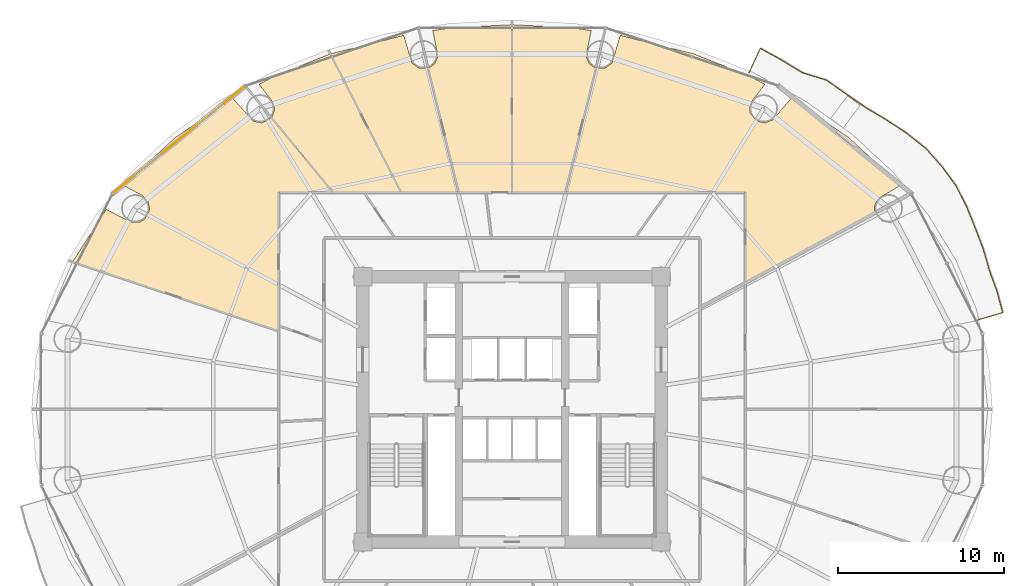
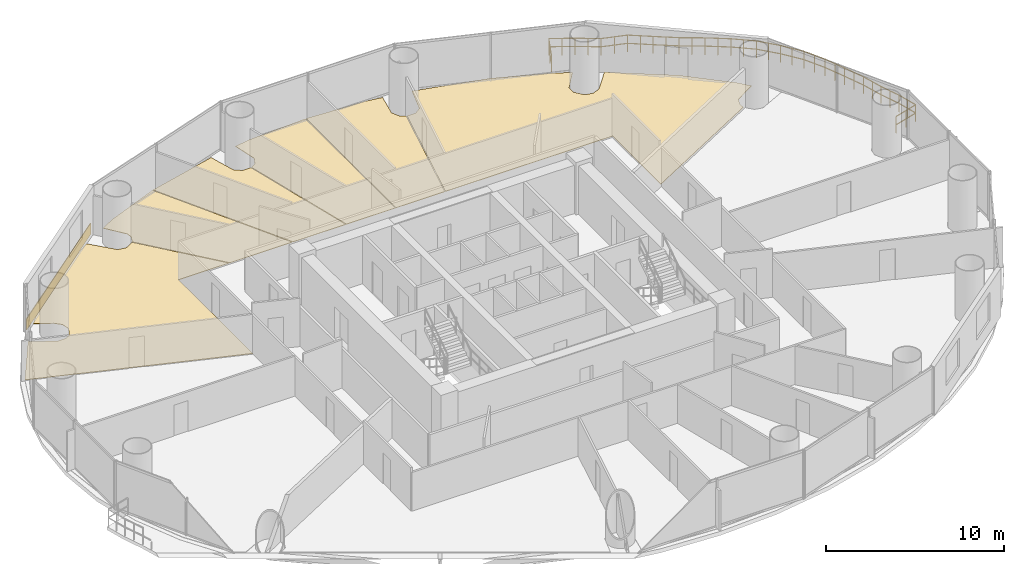
# One storey, part 30 of 30: 7 coverings, 1 railing.
"""IFC4 building model written with IfcOpenShell, lengths in metres."""

from ifc_helpers import new_model, si_unit, direction, frame, origin, origin_2d, place, context, subcontext, project, spatial, polyline, rectangle, outline, extrude, source, transform, mapped, material, layer, layer_set, type_object, element, save


model = new_model("IFC4")

# Units and contexts
model_context = context("Model", 3, precision=1e-05, world=origin(), true_north=direction((-0.2419218956, 0.970295726276)))
body_context = subcontext(model_context, "Body", "Model", "MODEL_VIEW")
ifc_project = project(units=[si_unit("LENGTHUNIT", "METRE"), si_unit("AREAUNIT", "SQUARE_METRE"), si_unit("VOLUMEUNIT", "CUBIC_METRE"), si_unit("PLANEANGLEUNIT", "RADIAN"), si_unit("MASSUNIT", "GRAM", prefix="KILO")], contexts=[model_context])

# Site, building, storey
site_placement = place(None, origin())
site = spatial("IfcSite", under=ifc_project, at=site_placement, CompositionType="ELEMENT")
building_placement = place(site_placement, origin())
building = spatial("IfcBuilding", under=site, at=building_placement, Name="Cobrevalo Terracotta Tower", CompositionType="ELEMENT")
storey_placement = place(building_placement, frame((0.0, 0.0, 56.39990234375)))
storey = spatial("IfcBuildingStorey", under=building, at=storey_placement, Name="L14", CompositionType="ELEMENT", Elevation=56.39990234375)

# Railing
ifc_material_1 = material(Name="Laminated structural glass and stainless steel", Category="steel")
railing_type = type_object("IfcRailingType", Name="Balcony lobe structural glass & terracotta-cap balustrade 1180 mm", PredefinedType="BALUSTRADE", material=ifc_material_1)
railing_placement = place(storey_placement, frame((66.08935546875, 32.18896484375, 0.0)))
element("IfcRailing", 1, at=railing_placement, inside=storey, type_object=railing_type, Name="L14 spiralling balcony lobe balustrade 1", PredefinedType="BALUSTRADE", context=body_context, shape_type="SweptSolid", body=[
    extrude(rectangle(XDim=0.048095703125, YDim=0.048095703125, at=origin_2d()), frame((0.0, 0.0, 1.15576171875), z_axis=(0.959912126119, 0.280301106185, 0.0), x_axis=(-0.280301106185, 0.959912126119, 0.0)), (0.0, 0.0, 1.0), 1.587890625),
    extrude(rectangle(XDim=0.048095703125, YDim=0.048095703125, at=origin_2d()), frame((0.0, 0.0, 0.58984375), z_axis=(0.959912126119, 0.280301106185, 0.0), x_axis=(-0.280301106185, 0.959912126119, 0.0)), (0.0, 0.0, 1.0), 1.587890625),
    extrude(rectangle(XDim=0.048095703125, YDim=0.048095703125, at=origin_2d()), frame((1.524169921875, 0.445068359375, 1.15576171875), z_axis=(-0.256809148963, 0.966462136356, 0.0), x_axis=(-0.966462136356, -0.256809148963, 0.0)), (0.0, 0.0, 1.0), 1.317626953125),
    extrude(rectangle(XDim=0.048095703125, YDim=0.048095703125, at=origin_2d()), frame((1.524169921875, 0.445068359375, 0.58984375), z_axis=(-0.256809148963, 0.966462136356, 0.0), x_axis=(-0.966462136356, -0.256809148963, 0.0)), (0.0, 0.0, 1.0), 1.317626953125),
    extrude(rectangle(XDim=0.048095703125, YDim=0.048095703125, at=origin_2d()), frame((1.185791015625, 1.718505859375, 1.15576171875), z_axis=(-0.341155184606, 0.940006989344, 0.0), x_axis=(-0.940006989344, -0.341155184606, 0.0)), (0.0, 0.0, 1.0), 1.333984375),
    extrude(rectangle(XDim=0.048095703125, YDim=0.048095703125, at=origin_2d()), frame((1.185791015625, 1.718505859375, 0.58984375), z_axis=(-0.341155184606, 0.940006989344, 0.0), x_axis=(-0.940006989344, -0.341155184606, 0.0)), (0.0, 0.0, 1.0), 1.333984375),
    extrude(rectangle(XDim=0.048095703125, YDim=0.048095703125, at=origin_2d()), frame((0.730712890625, 2.972412109375, 1.15576171875), z_axis=(-0.278150053131, 0.96053763484, 0.0), x_axis=(-0.96053763484, -0.278150053131, 0.0)), (0.0, 0.0, 1.0), 1.353515625),
    extrude(rectangle(XDim=0.048095703125, YDim=0.048095703125, at=origin_2d()), frame((0.730712890625, 2.972412109375, 0.58984375), z_axis=(-0.278150053131, 0.96053763484, 0.0), x_axis=(-0.96053763484, -0.278150053131, 0.0)), (0.0, 0.0, 1.0), 1.353515625),
    extrude(rectangle(XDim=0.048095703125, YDim=0.048095703125, at=origin_2d()), frame((0.354248046875, 4.2724609375, 1.15576171875), z_axis=(-0.355282598321, 0.93475893969, 0.0), x_axis=(-0.93475893969, -0.355282598321, 0.0)), (0.0, 0.0, 1.0), 1.3818359375),
    extrude(rectangle(XDim=0.048095703125, YDim=0.048095703125, at=origin_2d()), frame((0.354248046875, 4.2724609375, 0.58984375), z_axis=(-0.355282598321, 0.93475893969, 0.0), x_axis=(-0.93475893969, -0.355282598321, 0.0)), (0.0, 0.0, 1.0), 1.3818359375),
    extrude(rectangle(XDim=0.048095703125, YDim=0.048095703125, at=origin_2d()), frame((-0.13671875, 5.564208984375, 1.15576171875), z_axis=(-0.374830450433, 0.927093379023, 0.0), x_axis=(-0.927093379023, -0.374830450433, 0.0)), (0.0, 0.0, 1.0), 1.40625),
    extrude(rectangle(XDim=0.048095703125, YDim=0.048095703125, at=origin_2d()), frame((-0.13671875, 5.564208984375, 0.58984375), z_axis=(-0.374830450433, 0.927093379023, 0.0), x_axis=(-0.927093379023, -0.374830450433, 0.0)), (0.0, 0.0, 1.0), 1.40625),
    extrude(rectangle(XDim=0.048095703125, YDim=0.048095703125, at=origin_2d()), frame((-0.663818359375, 6.867919921875, 1.15576171875), z_axis=(-0.454643360524, 0.890673573612, 0.0), x_axis=(-0.890673573612, -0.454643360524, 0.0)), (0.0, 0.0, 1.0), 1.41650390625),
    extrude(rectangle(XDim=0.048095703125, YDim=0.048095703125, at=origin_2d()), frame((-0.663818359375, 6.867919921875, 0.58984375), z_axis=(-0.454643360524, 0.890673573612, 0.0), x_axis=(-0.890673573612, -0.454643360524, 0.0)), (0.0, 0.0, 1.0), 1.41650390625),
    extrude(rectangle(XDim=0.048095703125, YDim=0.048095703125, at=origin_2d()), frame((-1.307861328125, 8.129638671875, 1.15576171875), z_axis=(-0.593547662469, 0.804798839697, 0.0), x_axis=(-0.804798839697, -0.593547662469, 0.0)), (0.0, 0.0, 1.0), 1.43310546875),
    extrude(rectangle(XDim=0.048095703125, YDim=0.048095703125, at=origin_2d()), frame((-1.307861328125, 8.129638671875, 0.58984375), z_axis=(-0.593547662469, 0.804798839697, 0.0), x_axis=(-0.804798839697, -0.593547662469, 0.0)), (0.0, 0.0, 1.0), 1.43310546875),
    extrude(rectangle(XDim=0.048095703125, YDim=0.048095703125, at=origin_2d()), frame((-2.158447265625, 9.282958984375, 1.15576171875), z_axis=(-0.662868501169, 0.748735834696, 0.0), x_axis=(-0.748735834696, -0.662868501169, 0.0)), (0.0, 0.0, 1.0), 1.43017578125),
    extrude(rectangle(XDim=0.048095703125, YDim=0.048095703125, at=origin_2d()), frame((-2.158447265625, 9.282958984375, 0.58984375), z_axis=(-0.662868501169, 0.748735834696, 0.0), x_axis=(-0.748735834696, -0.662868501169, 0.0)), (0.0, 0.0, 1.0), 1.43017578125),
    extrude(rectangle(XDim=0.048095703125, YDim=0.048095703125, at=origin_2d()), frame((-3.1064453125, 10.353759765625, 1.15576171875), z_axis=(-0.784055996257, 0.620690095566, 0.0), x_axis=(-0.620690095566, -0.784055996257, 0.0)), (0.0, 0.0, 1.0), 1.4599609375),
    extrude(rectangle(XDim=0.048095703125, YDim=0.048095703125, at=origin_2d()), frame((-3.1064453125, 10.353759765625, 0.58984375), z_axis=(-0.784055996257, 0.620690095566, 0.0), x_axis=(-0.620690095566, -0.784055996257, 0.0)), (0.0, 0.0, 1.0), 1.4599609375),
    extrude(rectangle(XDim=0.048095703125, YDim=0.048095703125, at=origin_2d()), frame((-4.251220703125, 11.260009765625, 1.15576171875), z_axis=(-0.834019035197, 0.551735669438, 0.0), x_axis=(-0.551735669438, -0.834019035197, 0.0)), (0.0, 0.0, 1.0), 1.465087890625),
    extrude(rectangle(XDim=0.048095703125, YDim=0.048095703125, at=origin_2d()), frame((-4.251220703125, 11.260009765625, 0.58984375), z_axis=(-0.834019035197, 0.551735669438, 0.0), x_axis=(-0.551735669438, -0.834019035197, 0.0)), (0.0, 0.0, 1.0), 1.465087890625),
    extrude(rectangle(XDim=0.048095703125, YDim=0.048095703125, at=origin_2d()), frame((-5.47314453125, 12.068359375, 1.15576171875), z_axis=(-0.859029305482, 0.511926412997, 0.0), x_axis=(-0.511926412997, -0.859029305482, 0.0)), (0.0, 0.0, 1.0), 1.45458984375),
    extrude(rectangle(XDim=0.048095703125, YDim=0.048095703125, at=origin_2d()), frame((-5.47314453125, 12.068359375, 0.58984375), z_axis=(-0.859029305482, 0.511926412997, 0.0), x_axis=(-0.511926412997, -0.859029305482, 0.0)), (0.0, 0.0, 1.0), 1.45458984375),
    extrude(rectangle(XDim=0.048095703125, YDim=0.048095703125, at=origin_2d()), frame((-6.72265625, 12.81298828125, 1.15576171875), z_axis=(-0.822613647557, 0.568600727095, 0.0), x_axis=(-0.568600727095, -0.822613647557, 0.0)), (0.0, 0.0, 1.0), 1.458984375),
    extrude(rectangle(XDim=0.048095703125, YDim=0.048095703125, at=origin_2d()), frame((-6.72265625, 12.81298828125, 0.58984375), z_axis=(-0.822613647557, 0.568600727095, 0.0), x_axis=(-0.568600727095, -0.822613647557, 0.0)), (0.0, 0.0, 1.0), 1.458984375),
    extrude(rectangle(XDim=0.048095703125, YDim=0.048095703125, at=origin_2d()), frame((-7.9228515625, 13.642578125, 1.15576171875), z_axis=(-0.816139811262, 0.577854487283, 0.0), x_axis=(-0.577854487283, -0.816139811262, 0.0)), (0.0, 0.0, 1.0), 1.455810546875),
    extrude(rectangle(XDim=0.048095703125, YDim=0.048095703125, at=origin_2d()), frame((-7.9228515625, 13.642578125, 0.58984375), z_axis=(-0.816139811262, 0.577854487283, 0.0), x_axis=(-0.577854487283, -0.816139811262, 0.0)), (0.0, 0.0, 1.0), 1.455810546875),
    extrude(rectangle(XDim=0.048095703125, YDim=0.048095703125, at=origin_2d()), frame((-9.111083984375, 14.48388671875, 1.15576171875), z_axis=(-0.956303986785, 0.29237422058, 0.0), x_axis=(-0.29237422058, -0.956303986785, 0.0)), (0.0, 0.0, 1.0), 1.513916015625),
    extrude(rectangle(XDim=0.048095703125, YDim=0.048095703125, at=origin_2d()), frame((-9.111083984375, 14.48388671875, 0.58984375), z_axis=(-0.956303986785, 0.29237422058, 0.0), x_axis=(-0.29237422058, -0.956303986785, 0.0)), (0.0, 0.0, 1.0), 1.513916015625),
    extrude(rectangle(XDim=0.048095703125, YDim=0.048095703125, at=origin_2d()), frame((-10.558837890625, 14.926513671875, 1.15576171875), z_axis=(-0.854981792719, 0.518658012683, 0.0), x_axis=(-0.518658012683, -0.854981792719, 0.0)), (0.0, 0.0, 1.0), 1.472900390625),
    extrude(rectangle(XDim=0.048095703125, YDim=0.048095703125, at=origin_2d()), frame((-10.558837890625, 14.926513671875, 0.58984375), z_axis=(-0.854981792719, 0.518658012683, 0.0), x_axis=(-0.518658012683, -0.854981792719, 0.0)), (0.0, 0.0, 1.0), 1.472900390625),
    extrude(rectangle(XDim=0.048095703125, YDim=0.048095703125, at=origin_2d()), frame((-11.818115234375, 15.6904296875, 1.15576171875), z_axis=(-0.874959516359, 0.484196080873, 0.0), x_axis=(-0.484196080873, -0.874959516359, 0.0)), (0.0, 0.0, 1.0), 1.476318359375),
    extrude(rectangle(XDim=0.048095703125, YDim=0.048095703125, at=origin_2d()), frame((-11.818115234375, 15.6904296875, 0.58984375), z_axis=(-0.874959516359, 0.484196080873, 0.0), x_axis=(-0.484196080873, -0.874959516359, 0.0)), (0.0, 0.0, 1.0), 1.476318359375),
    extrude(rectangle(XDim=0.048095703125, YDim=0.048095703125, at=origin_2d()), frame((-13.10986328125, 16.4052734375, 1.15576171875), z_axis=(-0.419732157948, -0.907648013045, 0.0), x_axis=(0.907648013045, -0.419732157948, 0.0)), (0.0, 0.0, 1.0), 1.607666015625),
    extrude(rectangle(XDim=0.048095703125, YDim=0.048095703125, at=origin_2d()), frame((-13.10986328125, 16.4052734375, 0.58984375), z_axis=(-0.419732157948, -0.907648013045, 0.0), x_axis=(0.907648013045, -0.419732157948, 0.0)), (0.0, 0.0, 1.0), 1.607666015625),
    extrude(rectangle(XDim=0.0419921875, YDim=0.0419921875, at=origin_2d()), origin(), (0.0, 0.0, 1.0), 1.1318359375),
    extrude(rectangle(XDim=0.0419921875, YDim=0.0419921875, at=origin_2d()), frame((0.76220703125, 0.22265625, 0.0)), (0.0, 0.0, 1.0), 1.1318359375),
    extrude(rectangle(XDim=0.0419921875, YDim=0.0419921875, at=origin_2d()), frame((1.524169921875, 0.445068359375, 0.0)), (0.0, 0.0, 1.0), 1.1318359375),
    extrude(rectangle(XDim=0.0419921875, YDim=0.0419921875, at=origin_2d()), frame((1.35498046875, 1.081787109375, 0.0)), (0.0, 0.0, 1.0), 1.1318359375),
    extrude(rectangle(XDim=0.0419921875, YDim=0.0419921875, at=origin_2d()), frame((1.185791015625, 1.718505859375, 0.0)), (0.0, 0.0, 1.0), 1.1318359375),
    extrude(rectangle(XDim=0.0419921875, YDim=0.0419921875, at=origin_2d()), frame((0.958251953125, 2.345458984375, 0.0)), (0.0, 0.0, 1.0), 1.1318359375),
    extrude(rectangle(XDim=0.0419921875, YDim=0.0419921875, at=origin_2d()), frame((0.730712890625, 2.972412109375, 0.0)), (0.0, 0.0, 1.0), 1.1318359375),
    extrude(rectangle(XDim=0.0419921875, YDim=0.0419921875, at=origin_2d()), frame((0.54248046875, 3.62255859375, 0.0)), (0.0, 0.0, 1.0), 1.1318359375),
    extrude(rectangle(XDim=0.0419921875, YDim=0.0419921875, at=origin_2d()), frame((0.354248046875, 4.2724609375, 0.0)), (0.0, 0.0, 1.0), 1.1318359375),
    extrude(rectangle(XDim=0.0419921875, YDim=0.0419921875, at=origin_2d()), frame((0.10888671875, 4.91845703125, 0.0)), (0.0, 0.0, 1.0), 1.1318359375),
    extrude(rectangle(XDim=0.0419921875, YDim=0.0419921875, at=origin_2d()), frame((-0.13671875, 5.564208984375, 0.0)), (0.0, 0.0, 1.0), 1.1318359375),
    extrude(rectangle(XDim=0.0419921875, YDim=0.0419921875, at=origin_2d()), frame((-0.400390625, 6.216064453125, 0.0)), (0.0, 0.0, 1.0), 1.1318359375),
    extrude(rectangle(XDim=0.0419921875, YDim=0.0419921875, at=origin_2d()), frame((-0.663818359375, 6.867919921875, 0.0)), (0.0, 0.0, 1.0), 1.1318359375),
    extrude(rectangle(XDim=0.0419921875, YDim=0.0419921875, at=origin_2d()), frame((-0.98583984375, 7.498779296875, 0.0)), (0.0, 0.0, 1.0), 1.1318359375),
    extrude(rectangle(XDim=0.0419921875, YDim=0.0419921875, at=origin_2d()), frame((-1.307861328125, 8.129638671875, 0.0)), (0.0, 0.0, 1.0), 1.1318359375),
    extrude(rectangle(XDim=0.0419921875, YDim=0.0419921875, at=origin_2d()), frame((-1.733154296875, 8.706298828125, 0.0)), (0.0, 0.0, 1.0), 1.1318359375),
    extrude(rectangle(XDim=0.0419921875, YDim=0.0419921875, at=origin_2d()), frame((-2.158447265625, 9.282958984375, 0.0)), (0.0, 0.0, 1.0), 1.1318359375),
    extrude(rectangle(XDim=0.0419921875, YDim=0.0419921875, at=origin_2d()), frame((-2.63232421875, 9.818359375, 0.0)), (0.0, 0.0, 1.0), 1.1318359375),
    extrude(rectangle(XDim=0.0419921875, YDim=0.0419921875, at=origin_2d()), frame((-3.1064453125, 10.353759765625, 0.0)), (0.0, 0.0, 1.0), 1.1318359375),
    extrude(rectangle(XDim=0.0419921875, YDim=0.0419921875, at=origin_2d()), frame((-3.6787109375, 10.806884765625, 0.0)), (0.0, 0.0, 1.0), 1.1318359375),
    extrude(rectangle(XDim=0.0419921875, YDim=0.0419921875, at=origin_2d()), frame((-4.251220703125, 11.260009765625, 0.0)), (0.0, 0.0, 1.0), 1.1318359375),
    extrude(rectangle(XDim=0.0419921875, YDim=0.0419921875, at=origin_2d()), frame((-4.8623046875, 11.6640625, 0.0)), (0.0, 0.0, 1.0), 1.1318359375),
    extrude(rectangle(XDim=0.0419921875, YDim=0.0419921875, at=origin_2d()), frame((-5.47314453125, 12.068359375, 0.0)), (0.0, 0.0, 1.0), 1.1318359375),
    extrude(rectangle(XDim=0.0419921875, YDim=0.0419921875, at=origin_2d()), frame((-6.097900390625, 12.440673828125, 0.0)), (0.0, 0.0, 1.0), 1.1318359375),
    extrude(rectangle(XDim=0.0419921875, YDim=0.0419921875, at=origin_2d()), frame((-6.72265625, 12.81298828125, 0.0)), (0.0, 0.0, 1.0), 1.1318359375),
    extrude(rectangle(XDim=0.0419921875, YDim=0.0419921875, at=origin_2d()), frame((-7.32275390625, 13.227783203125, 0.0)), (0.0, 0.0, 1.0), 1.1318359375),
    extrude(rectangle(XDim=0.0419921875, YDim=0.0419921875, at=origin_2d()), frame((-7.9228515625, 13.642578125, 0.0)), (0.0, 0.0, 1.0), 1.1318359375),
    extrude(rectangle(XDim=0.0419921875, YDim=0.0419921875, at=origin_2d()), frame((-8.51708984375, 14.063232421875, 0.0)), (0.0, 0.0, 1.0), 1.1318359375),
    extrude(rectangle(XDim=0.0419921875, YDim=0.0419921875, at=origin_2d()), frame((-9.111083984375, 14.48388671875, 0.0)), (0.0, 0.0, 1.0), 1.1318359375),
    extrude(rectangle(XDim=0.0419921875, YDim=0.0419921875, at=origin_2d()), frame((-9.8349609375, 14.705078125, 0.0)), (0.0, 0.0, 1.0), 1.1318359375),
    extrude(rectangle(XDim=0.0419921875, YDim=0.0419921875, at=origin_2d()), frame((-10.558837890625, 14.926513671875, 0.0)), (0.0, 0.0, 1.0), 1.1318359375),
    extrude(rectangle(XDim=0.0419921875, YDim=0.0419921875, at=origin_2d()), frame((-11.1884765625, 15.30859375, 0.0)), (0.0, 0.0, 1.0), 1.1318359375),
    extrude(rectangle(XDim=0.0419921875, YDim=0.0419921875, at=origin_2d()), frame((-11.818115234375, 15.6904296875, 0.0)), (0.0, 0.0, 1.0), 1.1318359375),
    extrude(rectangle(XDim=0.0419921875, YDim=0.0419921875, at=origin_2d()), frame((-12.4638671875, 16.0478515625, 0.0)), (0.0, 0.0, 1.0), 1.1318359375),
    extrude(rectangle(XDim=0.0419921875, YDim=0.0419921875, at=origin_2d()), frame((-13.10986328125, 16.4052734375, 0.0)), (0.0, 0.0, 1.0), 1.1318359375),
    extrude(rectangle(XDim=0.0419921875, YDim=0.0419921875, at=origin_2d()), frame((-13.447265625, 15.67578125, 0.0)), (0.0, 0.0, 1.0), 1.1318359375),
    extrude(rectangle(XDim=0.0419921875, YDim=0.0419921875, at=origin_2d()), frame((-13.78466796875, 14.946044921875, 0.0)), (0.0, 0.0, 1.0), 1.1318359375),
])

# Coverings
ifc_material_2 = material(Name="Engineered Brazilian hardwood flooring", Category="wood")
ifc_layer_1 = layer(ifc_material_2, 0.028076171875)
ifc_layer_set_1 = layer_set([ifc_layer_1], Name="Engineered Brazilian hardwood flooring")
covering_type_1 = type_object("IfcCoveringType", Name="Engineered Hardwood Suite Flooring 28", PredefinedType="FLOORING", material=ifc_layer_set_1)
covering_1_placement = place(storey_placement, origin())
element("IfcCovering", 2, at=covering_1_placement, inside=storey, type_object=covering_type_1, Name="Flat L14A Penthouse Living and Dining Room floor finish", PredefinedType="FLOORING", context=body_context, shape_type="SweptSolid", body=[
    extrude(outline(polyline([(48.991943359375, 48.251953125), (52.361572265625, 46.908203125), (53.26318359375, 46.421142578125), (52.35498046875, 45.23095703125), (52.350341796875, 44.719970703125), (52.772705078125, 44.1953125), (53.27294921875, 44.091064453125), (53.746826171875, 44.2822265625), (54.843505859375, 45.567138671875), (58.3095703125, 43.217529296875), (60.786376953125, 40.933837890625), (61.34423828125, 40.2587890625), (60.060791015625, 39.497802734375), (59.864990234375, 39.02587890625), (59.90234375, 38.681884765625), (52.10498046875, 34.4599609375), (52.10498046875, 39.905029296875), (41.237548828125, 39.905029296875), (43.075439453125, 47.39306640625), (43.63330078125, 47.40185546875), (44.04345703125, 47.706787109375), (44.527587890625, 49.37451171875), (48.991943359375, 48.251953125)])), origin(), (0.0, 0.0, 1.0), 0.030029296875),
])
covering_2_placement = place(storey_placement, origin())
element("IfcCovering", 3, at=covering_2_placement, inside=storey, type_object=covering_type_1, Name="Flat L14A Master Bedroom floor finish", PredefinedType="FLOORING", context=body_context, shape_type="SweptSolid", body=[
    extrude(outline(polyline([(42.78369140625, 49.65478515625), (42.46533203125, 48.099853515625), (42.6845703125, 47.63818359375), (43.03759765625, 47.406494140625), (41.1962890625, 39.905029296875), (38.02001953125, 39.905029296875), (38.02001953125, 50.018798828125), (41.749267578125, 49.8212890625), (42.78369140625, 49.65478515625)])), origin(), (0.0, 0.0, 1.0), 0.030029296875),
])
covering_3_placement = place(storey_placement, origin())
element("IfcCovering", 4, at=covering_3_placement, inside=storey, type_object=covering_type_1, Name="Flat L14A Principal Guest Bedroom floor finish", PredefinedType="FLOORING", context=body_context, shape_type="SweptSolid", body=[
    extrude(outline(polyline([(37.97998046875, 50.018798828125), (37.97998046875, 39.905029296875), (34.8037109375, 39.905029296875), (32.96240234375, 47.406494140625), (33.3154296875, 47.63818359375), (33.53466796875, 48.099853515625), (33.21630859375, 49.65478515625), (34.250732421875, 49.8212890625), (37.97998046875, 50.018798828125)])), origin(), (0.0, 0.0, 1.0), 0.030029296875),
])
covering_4_placement = place(storey_placement, origin())
element("IfcCovering", 5, at=covering_4_placement, inside=storey, type_object=covering_type_1, Name="Flat L14A Principal Guest Bedroom floor finish", PredefinedType="FLOORING", context=body_context, shape_type="SweptSolid", body=[
    extrude(outline(polyline([(31.472412109375, 49.37451171875), (31.95654296875, 47.706787109375), (32.36669921875, 47.40185546875), (32.924560546875, 47.39306640625), (34.762451171875, 39.905029296875), (31.32373046875, 39.905029296875), (27.051025390625, 48.263671875), (31.472412109375, 49.37451171875)])), origin(), (0.0, 0.0, 1.0), 0.030029296875),
])
covering_5_placement = place(storey_placement, origin())
element("IfcCovering", 6, at=covering_5_placement, inside=storey, type_object=covering_type_1, Name="Flat L14A Principal Guest Bedroom floor finish", PredefinedType="FLOORING", context=body_context, shape_type="SweptSolid", body=[
    extrude(outline(polyline([(23.4951171875, 44.42236328125), (23.681884765625, 44.889404296875), (23.64501953125, 45.23095703125), (22.73681640625, 46.421142578125), (23.638427734375, 46.908203125), (27.0126953125, 48.251220703125), (31.27880859375, 39.905029296875), (27.219970703125, 39.905029296875), (23.4951171875, 44.42236328125)])), origin(), (0.0, 0.0, 1.0), 0.030029296875),
])
covering_6_placement = place(storey_placement, origin())
element("IfcCovering", 7, at=covering_6_placement, inside=storey, type_object=covering_type_1, Name="Flat L14A Penthouse Family Lounge floor finish", PredefinedType="FLOORING", context=body_context, shape_type="SweptSolid", body=[
    extrude(outline(polyline([(13.511962890625, 38.87451171875), (15.00439453125, 38.096923828125), (15.51513671875, 38.09716796875), (15.818115234375, 38.25927734375), (16.13525390625, 38.853515625), (16.03515625, 39.3544921875), (15.674560546875, 39.715087890625), (14.65576171875, 40.2587890625), (15.213623046875, 40.933837890625), (17.6904296875, 43.217529296875), (21.156494140625, 45.567138671875), (22.3974609375, 44.1875), (22.899658203125, 44.092529296875), (23.468017578125, 44.392578125), (27.168212890625, 39.905029296875), (23.89501953125, 39.905029296875), (23.89501953125, 31.555419921875), (11.4873046875, 35.72021484375), (13.511962890625, 38.87451171875)])), origin(), (0.0, 0.0, 1.0), 0.030029296875),
])
ifc_material_3 = material(Name="Glazed terracotta facade cladding tile", Category="masonry")
ifc_layer_2 = layer(ifc_material_3, 0.044921875)
ifc_layer_set_2 = layer_set([ifc_layer_2], Name="Glazed terracotta facade cladding tile")
covering_type_2 = type_object("IfcCoveringType", Name="Architectural terracotta rainscreen spandrel cladding 45 mm", PredefinedType="CLADDING", material=ifc_layer_set_2)
shared_shape = source(origin(), body_context, "Body", "SweptSolid", [
    extrude(rectangle(XDim=10.086669921875, YDim=0.044921875, at=origin_2d()), origin(), (0.0, 0.0, 1.0), 0.760009765625),
])
covering_7_placement = place(storey_placement, frame((17.90869140625, 43.076904296875, 0.0400390625), z_axis=(0.0, 0.0, 1.0), x_axis=(-0.777007547884, -0.629491279154, 0.0)))
element("IfcCovering", 8, at=covering_7_placement, inside=storey, type_object=covering_type_2, Name="L14 terracotta spandrel cladding S06", PredefinedType="CLADDING", context=body_context, shape_type="MappedRepresentation", body=[
    mapped(shared_shape, transform((0.0, 0.0, 0.0), scale=1.0)),
])

save(model, "model.ifc")
